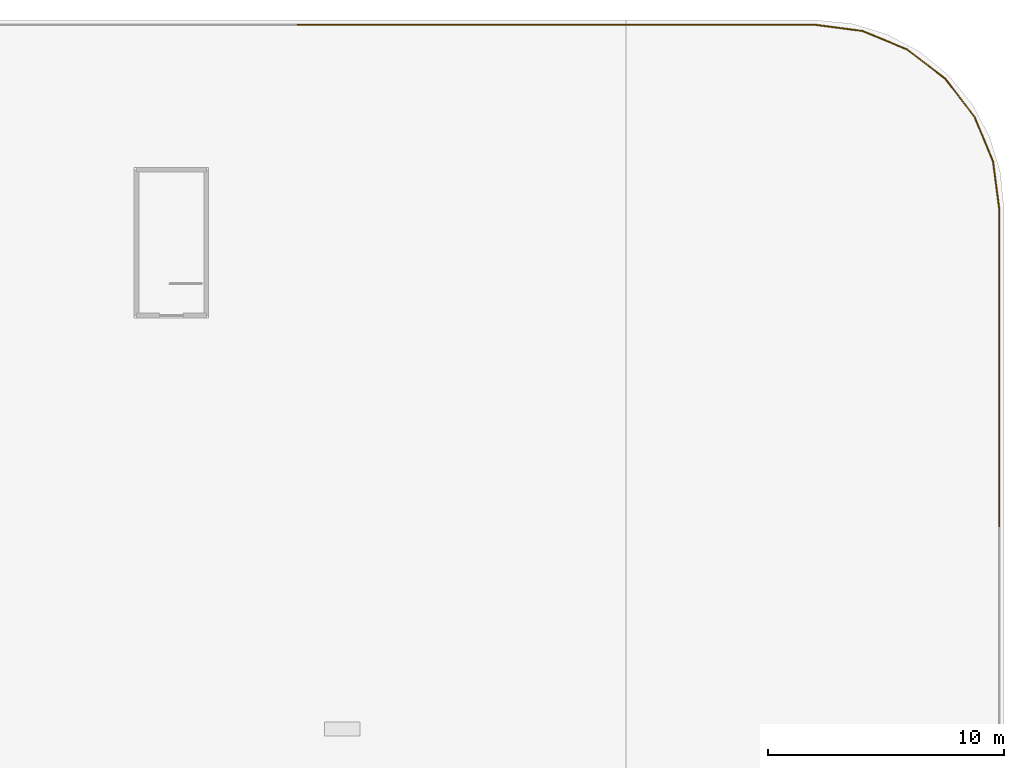
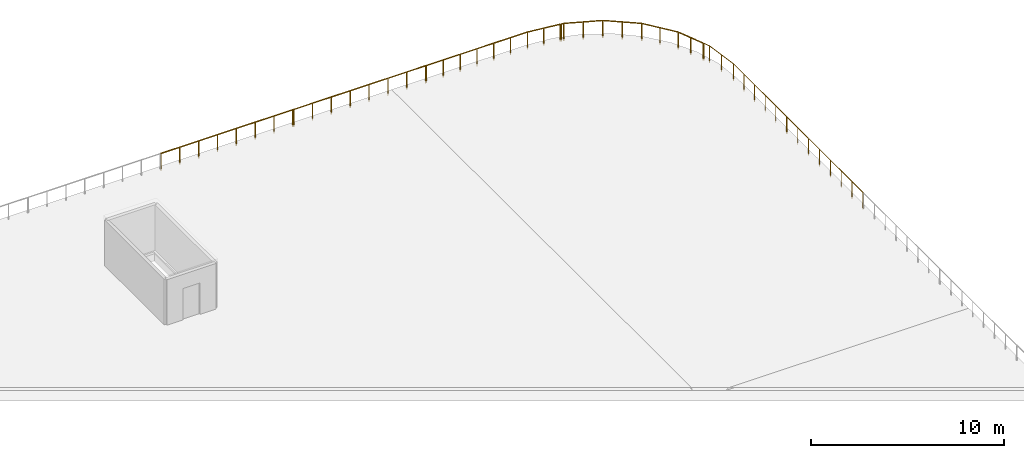
# One storey, part 47 of 48: 6 railings.
"""IFC4 building model written with IfcOpenShell, lengths in metres."""

from ifc_helpers import new_model, si_unit, direction, frame, origin, origin_2d, place, context, subcontext, project, spatial, circle, extrude, material, type_object, element, save


model = new_model("IFC4")

# Units and contexts
model_context = context("Model", 3, precision=1e-05, world=origin(), true_north=direction((0.0, 1.0)))
body_context = subcontext(model_context, "Body", "Model", "MODEL_VIEW")
ifc_project = project(units=[si_unit("LENGTHUNIT", "METRE"), si_unit("AREAUNIT", "SQUARE_METRE"), si_unit("VOLUMEUNIT", "CUBIC_METRE"), si_unit("PLANEANGLEUNIT", "RADIAN"), si_unit("MASSUNIT", "GRAM", prefix="KILO")], contexts=[model_context])

# Site, building, storey
site_placement = place(None, origin())
site = spatial("IfcSite", under=ifc_project, at=site_placement, CompositionType="ELEMENT")
building_placement = place(site_placement, origin())
building = spatial("IfcBuilding", under=site, at=building_placement, Name="Ogive Gate Towers", CompositionType="ELEMENT")
storey_placement = place(building_placement, origin())
storey = spatial("IfcBuildingStorey", under=building, at=storey_placement, Name="L00", CompositionType="ELEMENT", Elevation=0.0)

# Railings
ifc_material = material(Name="Stainless steel", Category="steel")
railing_type = type_object("IfcRailingType", Name="Guard 1100", PredefinedType="GUARDRAIL", material=ifc_material)
railing_1_placement = place(storey_placement, frame((127.800048828125, 54.58251953125, 0.0)))
element("IfcRailing", 1, at=railing_1_placement, inside=storey, type_object=railing_type, Name="Garden deck guard", PredefinedType="GUARDRAIL", context=body_context, shape_type="SweptSolid", body=[
    extrude(circle(Radius=0.02392578125, at=origin_2d()), frame((0.0, 0.0, 1.076171875), z_axis=(0.0, 1.0, 0.0), x_axis=(-1.0, 0.0, 0.0)), (0.0, 0.0, 1.0), 7.87939453125),
    extrude(circle(Radius=0.02099609375, at=origin_2d()), origin(), (0.0, 0.0, 1.0), 1.052001953125),
    extrude(circle(Radius=0.02099609375, at=origin_2d()), frame((0.0, 1.125732421875, 0.0)), (0.0, 0.0, 1.0), 1.052001953125),
    extrude(circle(Radius=0.02099609375, at=origin_2d()), frame((0.0, 2.251220703125, 0.0)), (0.0, 0.0, 1.0), 1.052001953125),
    extrude(circle(Radius=0.02099609375, at=origin_2d()), frame((0.0, 3.376953125, 0.0)), (0.0, 0.0, 1.0), 1.052001953125),
    extrude(circle(Radius=0.02099609375, at=origin_2d()), frame((0.0, 4.50244140625, 0.0)), (0.0, 0.0, 1.0), 1.052001953125),
    extrude(circle(Radius=0.02099609375, at=origin_2d()), frame((0.0, 5.628173828125, 0.0)), (0.0, 0.0, 1.0), 1.052001953125),
    extrude(circle(Radius=0.02099609375, at=origin_2d()), frame((0.0, 6.753662109375, 0.0)), (0.0, 0.0, 1.0), 1.052001953125),
    extrude(circle(Radius=0.02099609375, at=origin_2d()), frame((0.0, 7.87939453125, 0.0)), (0.0, 0.0, 1.0), 1.052001953125),
])
railing_2_placement = place(storey_placement, frame((127.800048828125, 62.511962890625, 0.0)))
element("IfcRailing", 2, at=railing_2_placement, inside=storey, type_object=railing_type, Name="Garden deck guard", PredefinedType="GUARDRAIL", context=body_context, shape_type="SweptSolid", body=[
    extrude(circle(Radius=0.02392578125, at=origin_2d()), frame((0.0, 0.0, 1.076171875), z_axis=(0.0, 1.0, 0.0), x_axis=(-1.0, 0.0, 0.0)), (0.0, 0.0, 1.0), 5.488037109375),
    extrude(circle(Radius=0.02392578125, at=origin_2d()), frame((0.0, 5.488037109375, 1.076171875), z_axis=(-0.130569268018, 0.991439189385, 0.0), x_axis=(-0.991439189385, -0.130569268018, 0.0)), (0.0, 0.0, 1.0), 2.0361328125),
    extrude(circle(Radius=0.02392578125, at=origin_2d()), frame((-0.265869140625, 7.5068359375, 1.076171875), z_axis=(-0.383100907933, 0.923706497942, 0.0), x_axis=(-0.923706497942, -0.383100907933, 0.0)), (0.0, 0.0, 1.0), 0.35498046875),
    extrude(circle(Radius=0.02099609375, at=origin_2d()), origin(), (0.0, 0.0, 1.0), 1.052001953125),
    extrude(circle(Radius=0.02099609375, at=origin_2d()), frame((0.0, 1.09765625, 0.0)), (0.0, 0.0, 1.0), 1.052001953125),
    extrude(circle(Radius=0.02099609375, at=origin_2d()), frame((0.0, 2.1953125, 0.0)), (0.0, 0.0, 1.0), 1.052001953125),
    extrude(circle(Radius=0.02099609375, at=origin_2d()), frame((0.0, 3.292724609375, 0.0)), (0.0, 0.0, 1.0), 1.052001953125),
    extrude(circle(Radius=0.02099609375, at=origin_2d()), frame((0.0, 4.390380859375, 0.0)), (0.0, 0.0, 1.0), 1.052001953125),
    extrude(circle(Radius=0.02099609375, at=origin_2d()), frame((0.0, 5.488037109375, 0.0)), (0.0, 0.0, 1.0), 1.052001953125),
    extrude(circle(Radius=0.02099609375, at=origin_2d()), frame((-0.1328125, 6.49755859375, 0.0)), (0.0, 0.0, 1.0), 1.052001953125),
    extrude(circle(Radius=0.02099609375, at=origin_2d()), frame((-0.265869140625, 7.5068359375, 0.0)), (0.0, 0.0, 1.0), 1.052001953125),
    extrude(circle(Radius=0.02099609375, at=origin_2d()), frame((-0.40185546875, 7.834716796875, 0.0)), (0.0, 0.0, 1.0), 1.052001953125),
])
railing_3_placement = place(storey_placement, frame((127.379150390625, 70.39306640625, 0.0)))
element("IfcRailing", 3, at=railing_3_placement, inside=storey, type_object=railing_type, Name="Garden deck guard", PredefinedType="GUARDRAIL", context=body_context, shape_type="SweptSolid", body=[
    extrude(circle(Radius=0.02392578125, at=origin_2d()), frame((0.0, 0.0, 1.076171875), z_axis=(-0.382743977989, 0.923854451368, 0.0), x_axis=(-0.923854451368, -0.382743977989, 0.0)), (0.0, 0.0, 1.0), 1.631103515625),
    extrude(circle(Radius=0.02392578125, at=origin_2d()), frame((-0.624267578125, 1.5068359375, 1.076171875), z_axis=(-0.608731039936, 0.793376657722, 0.0), x_axis=(-0.793376657722, -0.608731039936, 0.0)), (0.0, 0.0, 1.0), 2.0361328125),
    extrude(circle(Radius=0.02392578125, at=origin_2d()), frame((-1.86376953125, 3.122314453125, 1.076171875), z_axis=(-0.793376657722, 0.608731039936, 0.0), x_axis=(-0.608731039936, -0.793376657722, 0.0)), (0.0, 0.0, 1.0), 2.0361328125),
    extrude(circle(Radius=0.02392578125, at=origin_2d()), frame((-3.479248046875, 4.36181640625, 1.076171875), z_axis=(-0.923858991979, 0.382733017832, 0.0), x_axis=(-0.382733017832, -0.923858991979, 0.0)), (0.0, 0.0, 1.0), 2.0361328125),
    extrude(circle(Radius=0.02392578125, at=origin_2d()), frame((-5.3603515625, 5.14111328125, 1.076171875), z_axis=(-0.99136479664, 0.131132909609, 0.0), x_axis=(-0.131132909609, -0.99136479664, 0.0)), (0.0, 0.0, 1.0), 0.1396484375),
    extrude(circle(Radius=0.02099609375, at=origin_2d()), origin(), (0.0, 0.0, 1.0), 1.052001953125),
    extrude(circle(Radius=0.02099609375, at=origin_2d()), frame((-0.31201171875, 0.75341796875, 0.0)), (0.0, 0.0, 1.0), 1.052001953125),
    extrude(circle(Radius=0.02099609375, at=origin_2d()), frame((-0.624267578125, 1.5068359375, 0.0)), (0.0, 0.0, 1.0), 1.052001953125),
    extrude(circle(Radius=0.02099609375, at=origin_2d()), frame((-1.244140625, 2.314453125, 0.0)), (0.0, 0.0, 1.0), 1.052001953125),
    extrude(circle(Radius=0.02099609375, at=origin_2d()), frame((-1.86376953125, 3.122314453125, 0.0)), (0.0, 0.0, 1.0), 1.052001953125),
    extrude(circle(Radius=0.02099609375, at=origin_2d()), frame((-2.67138671875, 3.7421875, 0.0)), (0.0, 0.0, 1.0), 1.052001953125),
    extrude(circle(Radius=0.02099609375, at=origin_2d()), frame((-3.479248046875, 4.36181640625, 0.0)), (0.0, 0.0, 1.0), 1.052001953125),
    extrude(circle(Radius=0.02099609375, at=origin_2d()), frame((-4.419921875, 4.75146484375, 0.0)), (0.0, 0.0, 1.0), 1.052001953125),
    extrude(circle(Radius=0.02099609375, at=origin_2d()), frame((-5.3603515625, 5.14111328125, 0.0)), (0.0, 0.0, 1.0), 1.052001953125),
    extrude(circle(Radius=0.02099609375, at=origin_2d()), frame((-5.498779296875, 5.159423828125, 0.0)), (0.0, 0.0, 1.0), 1.052001953125),
])
railing_4_placement = place(storey_placement, frame((121.830810546875, 75.55908203125, 0.0)))
element("IfcRailing", 4, at=railing_4_placement, inside=storey, type_object=railing_type, Name="Garden deck guard", PredefinedType="GUARDRAIL", context=body_context, shape_type="SweptSolid", body=[
    extrude(circle(Radius=0.02392578125, at=origin_2d()), frame((0.0, 0.0, 1.076171875), z_axis=(-0.991449344796, 0.130492132726, 0.0), x_axis=(-0.130492132726, -0.991449344796, 0.0)), (0.0, 0.0, 1.0), 1.8466796875),
    extrude(circle(Radius=0.02392578125, at=origin_2d()), frame((-1.830810546875, 0.240966796875, 1.076171875), z_axis=(-1.0, 0.0, 0.0), x_axis=(0.0, -1.0, 0.0)), (0.0, 0.0, 1.0), 6.03271484375),
    extrude(circle(Radius=0.02099609375, at=origin_2d()), origin(), (0.0, 0.0, 1.0), 1.052001953125),
    extrude(circle(Radius=0.02099609375, at=origin_2d()), frame((-0.91552734375, 0.12060546875, 0.0)), (0.0, 0.0, 1.0), 1.052001953125),
    extrude(circle(Radius=0.02099609375, at=origin_2d()), frame((-1.830810546875, 0.240966796875, 0.0)), (0.0, 0.0, 1.0), 1.052001953125),
    extrude(circle(Radius=0.02099609375, at=origin_2d()), frame((-2.836181640625, 0.240966796875, 0.0)), (0.0, 0.0, 1.0), 1.052001953125),
    extrude(circle(Radius=0.02099609375, at=origin_2d()), frame((-3.841796875, 0.240966796875, 0.0)), (0.0, 0.0, 1.0), 1.052001953125),
    extrude(circle(Radius=0.02099609375, at=origin_2d()), frame((-4.84716796875, 0.240966796875, 0.0)), (0.0, 0.0, 1.0), 1.052001953125),
    extrude(circle(Radius=0.02099609375, at=origin_2d()), frame((-5.8525390625, 0.240966796875, 0.0)), (0.0, 0.0, 1.0), 1.052001953125),
    extrude(circle(Radius=0.02099609375, at=origin_2d()), frame((-6.858154296875, 0.240966796875, 0.0)), (0.0, 0.0, 1.0), 1.052001953125),
    extrude(circle(Radius=0.02099609375, at=origin_2d()), frame((-7.863525390625, 0.240966796875, 0.0)), (0.0, 0.0, 1.0), 1.052001953125),
])
for number, where, name in (
    (5, (113.917236328125, 75.800048828125, 0.0), "Garden deck guard"),
    (6, (105.98779296875, 75.800048828125, 0.0), "Garden deck guard"),
):
    element("IfcRailing", number, at=place(storey_placement, frame(where)), inside=storey, type_object=railing_type, Name=name, PredefinedType="GUARDRAIL", context=body_context, shape_type="SweptSolid", body=[
        extrude(circle(Radius=0.02392578125, at=origin_2d()), frame((0.0, 0.0, 1.076171875), z_axis=(-1.0, 0.0, 0.0), x_axis=(0.0, -1.0, 0.0)), (0.0, 0.0, 1.0), 7.87939453125),
        extrude(circle(Radius=0.02099609375, at=origin_2d()), origin(), (0.0, 0.0, 1.0), 1.052001953125),
        extrude(circle(Radius=0.02099609375, at=origin_2d()), frame((-1.125732421875, 0.0, 0.0)), (0.0, 0.0, 1.0), 1.052001953125),
        extrude(circle(Radius=0.02099609375, at=origin_2d()), frame((-2.251220703125, 0.0, 0.0)), (0.0, 0.0, 1.0), 1.052001953125),
        extrude(circle(Radius=0.02099609375, at=origin_2d()), frame((-3.376953125, 0.0, 0.0)), (0.0, 0.0, 1.0), 1.052001953125),
        extrude(circle(Radius=0.02099609375, at=origin_2d()), frame((-4.50244140625, 0.0, 0.0)), (0.0, 0.0, 1.0), 1.052001953125),
        extrude(circle(Radius=0.02099609375, at=origin_2d()), frame((-5.628173828125, 0.0, 0.0)), (0.0, 0.0, 1.0), 1.052001953125),
        extrude(circle(Radius=0.02099609375, at=origin_2d()), frame((-6.753662109375, 0.0, 0.0)), (0.0, 0.0, 1.0), 1.052001953125),
        extrude(circle(Radius=0.02099609375, at=origin_2d()), frame((-7.87939453125, 0.0, 0.0)), (0.0, 0.0, 1.0), 1.052001953125),
    ])

save(model, "model.ifc")
